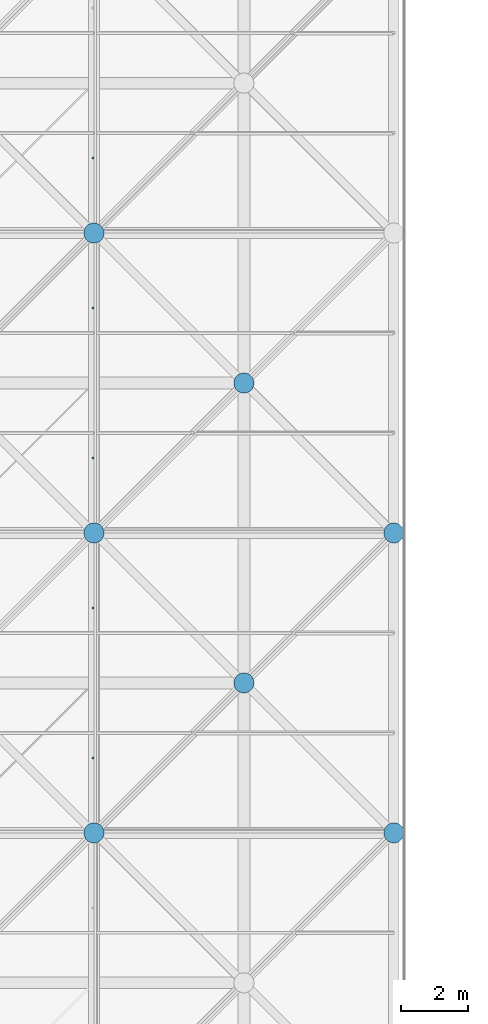
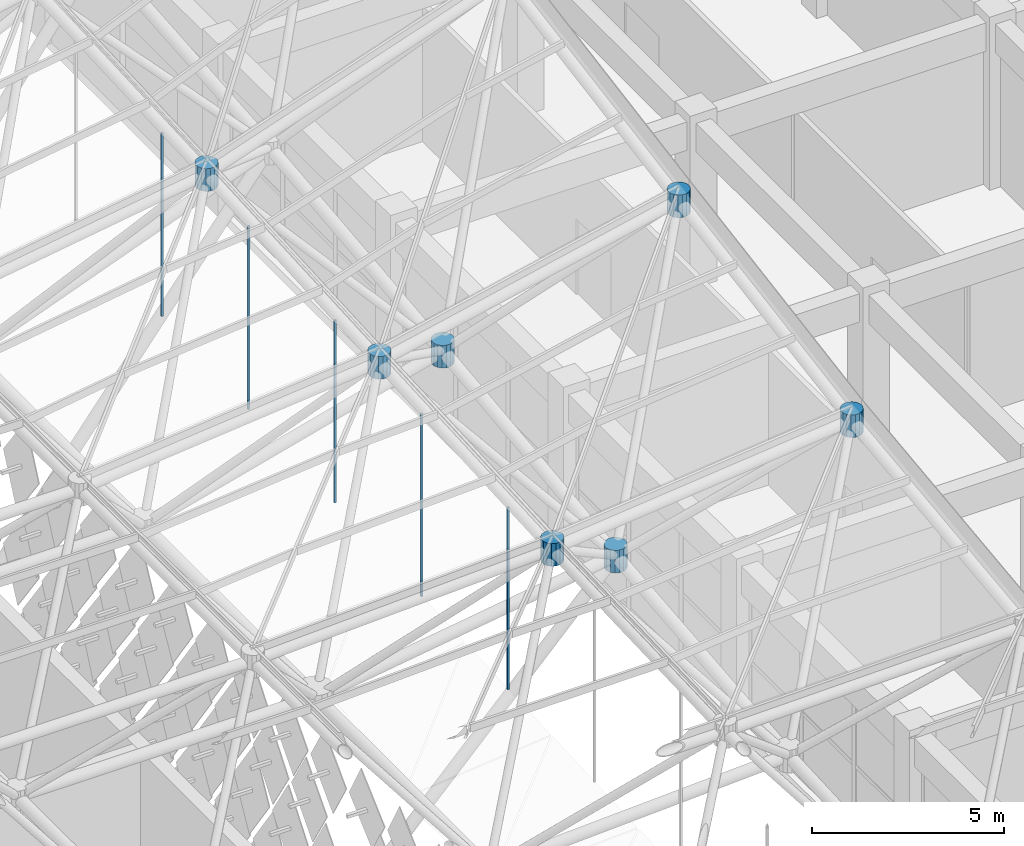
# One storey, part 339 of 437: 12 discrete accessories.
"""IFC4 building model written with IfcOpenShell, lengths in metres."""

from ifc_helpers import new_model, si_unit, direction, frame, origin, place, context, subcontext, project, spatial, polyline, outline, extrude, material, type_object, element, save


model = new_model("IFC4")

# Units and contexts
model_context = context("Model", 3, precision=1e-05, world=origin(), true_north=direction((0.0, 1.0)))
body_context = subcontext(model_context, "Body", "Model", "MODEL_VIEW")
ifc_project = project(units=[si_unit("LENGTHUNIT", "METRE"), si_unit("AREAUNIT", "SQUARE_METRE"), si_unit("VOLUMEUNIT", "CUBIC_METRE"), si_unit("PLANEANGLEUNIT", "RADIAN"), si_unit("MASSUNIT", "GRAM", prefix="KILO")], contexts=[model_context])

# Site, building, storey
site_placement = place(None, origin())
site = spatial("IfcSite", under=ifc_project, at=site_placement, CompositionType="ELEMENT")
building_placement = place(site_placement, origin())
building = spatial("IfcBuilding", under=site, at=building_placement, Name="Opaline Strait Convention Centre", CompositionType="ELEMENT")
storey_placement = place(building_placement, frame((0.0, 0.0, 11.5)))
storey = spatial("IfcBuildingStorey", under=building, at=storey_placement, Name="L02", CompositionType="ELEMENT", Elevation=11.5)

# Discrete accessories
ifc_material_1 = material(Name="Steel Q355B", Category="steel")
discrete_accessory_type_1 = type_object("IfcDiscreteAccessoryType", Name="Soffit hanger 60x60 steel", PredefinedType="BRACKET", material=ifc_material_1)
discrete_accessory_1_placement = place(storey_placement, frame((0.0, 0.0, 12.551513671875)))
element("IfcDiscreteAccessory", 1, at=discrete_accessory_1_placement, inside=storey, type_object=discrete_accessory_type_1, Name="Soffit hanger", PredefinedType="BRACKET", context=body_context, shape_type="SweptSolid", body=[
    extrude(outline(polyline([(265.43505859375, 123.719970703125), (265.4951171875, 123.719970703125), (265.4951171875, 123.780029296875), (265.43505859375, 123.780029296875), (265.43505859375, 123.719970703125)])), origin(), (0.0, 0.0, 1.0), 5.78125),
])
discrete_accessory_2_placement = place(storey_placement, frame((0.0, 0.0, 12.7802734375)))
element("IfcDiscreteAccessory", 2, at=discrete_accessory_2_placement, inside=storey, type_object=discrete_accessory_type_1, Name="Soffit hanger", PredefinedType="BRACKET", context=body_context, shape_type="SweptSolid", body=[
    extrude(outline(polyline([(265.43505859375, 128.219970703125), (265.4951171875, 128.219970703125), (265.4951171875, 128.280029296875), (265.43505859375, 128.280029296875), (265.43505859375, 128.219970703125)])), origin(), (0.0, 0.0, 1.0), 5.796630859375),
])
discrete_accessory_3_placement = place(storey_placement, frame((0.0, 0.0, 13.026611328125)))
element("IfcDiscreteAccessory", 3, at=discrete_accessory_3_placement, inside=storey, type_object=discrete_accessory_type_1, Name="Soffit hanger", PredefinedType="BRACKET", context=body_context, shape_type="SweptSolid", body=[
    extrude(outline(polyline([(265.43505859375, 132.719970703125), (265.4951171875, 132.719970703125), (265.4951171875, 132.780029296875), (265.43505859375, 132.780029296875), (265.43505859375, 132.719970703125)])), origin(), (0.0, 0.0, 1.0), 5.800048828125),
])
discrete_accessory_4_placement = place(storey_placement, frame((0.0, 0.0, 13.264892578125)))
element("IfcDiscreteAccessory", 4, at=discrete_accessory_4_placement, inside=storey, type_object=discrete_accessory_type_1, Name="Soffit hanger", PredefinedType="BRACKET", context=body_context, shape_type="SweptSolid", body=[
    extrude(outline(polyline([(265.43505859375, 137.219970703125), (265.4951171875, 137.219970703125), (265.4951171875, 137.280029296875), (265.43505859375, 137.280029296875), (265.43505859375, 137.219970703125)])), origin(), (0.0, 0.0, 1.0), 5.817626953125),
])
discrete_accessory_5_placement = place(storey_placement, frame((0.0, 0.0, 13.495361328125)))
element("IfcDiscreteAccessory", 5, at=discrete_accessory_5_placement, inside=storey, type_object=discrete_accessory_type_1, Name="Soffit hanger", PredefinedType="BRACKET", context=body_context, shape_type="SweptSolid", body=[
    extrude(outline(polyline([(265.43505859375, 141.719970703125), (265.4951171875, 141.719970703125), (265.4951171875, 141.780029296875), (265.43505859375, 141.780029296875), (265.43505859375, 141.719970703125)])), origin(), (0.0, 0.0, 1.0), 5.82421875),
])
ifc_material_2 = material(Name="Cast steel ZG300-500H (300 MPa)", Category="steel")
discrete_accessory_type_2 = type_object("IfcDiscreteAccessoryType", Name="Space frame node hub D600", PredefinedType="USERDEFINED", material=ifc_material_2)
discrete_accessory_6_placement = place(storey_placement, frame((0.0, 0.0, 18.013427734375)))
element("IfcDiscreteAccessory", 6, at=discrete_accessory_6_placement, inside=storey, type_object=discrete_accessory_type_2, Name="Top node 21/10", ObjectType="NODE HUB", PredefinedType="USERDEFINED", context=body_context, shape_type="SweptSolid", body=[
    extrude(outline(polyline([(265.800048828125, 121.559814453125), (265.75439453125, 121.669921875), (265.669921875, 121.75439453125), (265.559814453125, 121.800048828125), (265.440185546875, 121.800048828125), (265.330078125, 121.75439453125), (265.24560546875, 121.669921875), (265.199951171875, 121.559814453125), (265.199951171875, 121.440185546875), (265.24560546875, 121.330078125), (265.330078125, 121.24560546875), (265.440185546875, 121.199951171875), (265.559814453125, 121.199951171875), (265.669921875, 121.24560546875), (265.75439453125, 121.330078125), (265.800048828125, 121.440185546875), (265.800048828125, 121.559814453125)])), origin(), (0.0, 0.0, 1.0), 0.719970703125),
])
discrete_accessory_7_placement = place(storey_placement, frame((0.0, 0.0, 18.501220703125)))
element("IfcDiscreteAccessory", 7, at=discrete_accessory_7_placement, inside=storey, type_object=discrete_accessory_type_2, Name="Top node 21/11", ObjectType="NODE HUB", PredefinedType="USERDEFINED", context=body_context, shape_type="SweptSolid", body=[
    extrude(outline(polyline([(265.800048828125, 130.559814453125), (265.75439453125, 130.669921875), (265.669921875, 130.75439453125), (265.559814453125, 130.800048828125), (265.440185546875, 130.800048828125), (265.330078125, 130.75439453125), (265.24560546875, 130.669921875), (265.199951171875, 130.559814453125), (265.199951171875, 130.440185546875), (265.24560546875, 130.330078125), (265.330078125, 130.24560546875), (265.440185546875, 130.199951171875), (265.559814453125, 130.199951171875), (265.669921875, 130.24560546875), (265.75439453125, 130.330078125), (265.800048828125, 130.440185546875), (265.800048828125, 130.559814453125)])), origin(), (0.0, 0.0, 1.0), 0.719970703125),
])
discrete_accessory_8_placement = place(storey_placement, frame((0.0, 0.0, 19.012939453125)))
element("IfcDiscreteAccessory", 8, at=discrete_accessory_8_placement, inside=storey, type_object=discrete_accessory_type_2, Name="Top node 21/12", ObjectType="NODE HUB", PredefinedType="USERDEFINED", context=body_context, shape_type="SweptSolid", body=[
    extrude(outline(polyline([(265.800048828125, 139.559814453125), (265.75439453125, 139.669921875), (265.669921875, 139.75439453125), (265.559814453125, 139.800048828125), (265.440185546875, 139.800048828125), (265.330078125, 139.75439453125), (265.24560546875, 139.669921875), (265.199951171875, 139.559814453125), (265.199951171875, 139.440185546875), (265.24560546875, 139.330078125), (265.330078125, 139.24560546875), (265.440185546875, 139.199951171875), (265.559814453125, 139.199951171875), (265.669921875, 139.24560546875), (265.75439453125, 139.330078125), (265.800048828125, 139.440185546875), (265.800048828125, 139.559814453125)])), origin(), (0.0, 0.0, 1.0), 0.719970703125),
])
discrete_accessory_9_placement = place(storey_placement, frame((0.0, 0.0, 18.951416015625)))
element("IfcDiscreteAccessory", 9, at=discrete_accessory_9_placement, inside=storey, type_object=discrete_accessory_type_2, Name="Top node 22/10", ObjectType="NODE HUB", PredefinedType="USERDEFINED", context=body_context, shape_type="SweptSolid", body=[
    extrude(outline(polyline([(274.800048828125, 121.559814453125), (274.75439453125, 121.669921875), (274.669921875, 121.75439453125), (274.559814453125, 121.800048828125), (274.440185546875, 121.800048828125), (274.330078125, 121.75439453125), (274.24560546875, 121.669921875), (274.199951171875, 121.559814453125), (274.199951171875, 121.440185546875), (274.24560546875, 121.330078125), (274.330078125, 121.24560546875), (274.440185546875, 121.199951171875), (274.559814453125, 121.199951171875), (274.669921875, 121.24560546875), (274.75439453125, 121.330078125), (274.800048828125, 121.440185546875), (274.800048828125, 121.559814453125)])), origin(), (0.0, 0.0, 1.0), 0.719970703125),
])
discrete_accessory_10_placement = place(storey_placement, frame((0.0, 0.0, 20.478759765625)))
element("IfcDiscreteAccessory", 10, at=discrete_accessory_10_placement, inside=storey, type_object=discrete_accessory_type_2, Name="Top node 22/11", ObjectType="NODE HUB", PredefinedType="USERDEFINED", context=body_context, shape_type="SweptSolid", body=[
    extrude(outline(polyline([(274.800048828125, 130.559814453125), (274.75439453125, 130.669921875), (274.669921875, 130.75439453125), (274.559814453125, 130.800048828125), (274.440185546875, 130.800048828125), (274.330078125, 130.75439453125), (274.24560546875, 130.669921875), (274.199951171875, 130.559814453125), (274.199951171875, 130.440185546875), (274.24560546875, 130.330078125), (274.330078125, 130.24560546875), (274.440185546875, 130.199951171875), (274.559814453125, 130.199951171875), (274.669921875, 130.24560546875), (274.75439453125, 130.330078125), (274.800048828125, 130.440185546875), (274.800048828125, 130.559814453125)])), origin(), (0.0, 0.0, 1.0), 0.719970703125),
])
discrete_accessory_11_placement = place(storey_placement, frame((0.0, 0.0, 13.49462890625)))
element("IfcDiscreteAccessory", 11, at=discrete_accessory_11_placement, inside=storey, type_object=discrete_accessory_type_2, Name="Bottom node 21/10", ObjectType="NODE HUB", PredefinedType="USERDEFINED", context=body_context, shape_type="SweptSolid", body=[
    extrude(outline(polyline([(270.300048828125, 126.059814453125), (270.25439453125, 126.169921875), (270.169921875, 126.25439453125), (270.059814453125, 126.300048828125), (269.940185546875, 126.300048828125), (269.830078125, 126.25439453125), (269.74560546875, 126.169921875), (269.699951171875, 126.059814453125), (269.699951171875, 125.940185546875), (269.74560546875, 125.830078125), (269.830078125, 125.74560546875), (269.940185546875, 125.699951171875), (270.059814453125, 125.699951171875), (270.169921875, 125.74560546875), (270.25439453125, 125.830078125), (270.300048828125, 125.940185546875), (270.300048828125, 126.059814453125)])), origin(), (0.0, 0.0, 1.0), 0.719970703125),
])
discrete_accessory_12_placement = place(storey_placement, frame((0.0, 0.0, 14.55078125)))
element("IfcDiscreteAccessory", 12, at=discrete_accessory_12_placement, inside=storey, type_object=discrete_accessory_type_2, Name="Bottom node 21/11", ObjectType="NODE HUB", PredefinedType="USERDEFINED", context=body_context, shape_type="SweptSolid", body=[
    extrude(outline(polyline([(270.300048828125, 135.059814453125), (270.25439453125, 135.169921875), (270.169921875, 135.25439453125), (270.059814453125, 135.300048828125), (269.940185546875, 135.300048828125), (269.830078125, 135.25439453125), (269.74560546875, 135.169921875), (269.699951171875, 135.059814453125), (269.699951171875, 134.940185546875), (269.74560546875, 134.830078125), (269.830078125, 134.74560546875), (269.940185546875, 134.699951171875), (270.059814453125, 134.699951171875), (270.169921875, 134.74560546875), (270.25439453125, 134.830078125), (270.300048828125, 134.940185546875), (270.300048828125, 135.059814453125)])), origin(), (0.0, 0.0, 1.0), 0.719970703125),
])

save(model, "model.ifc")
